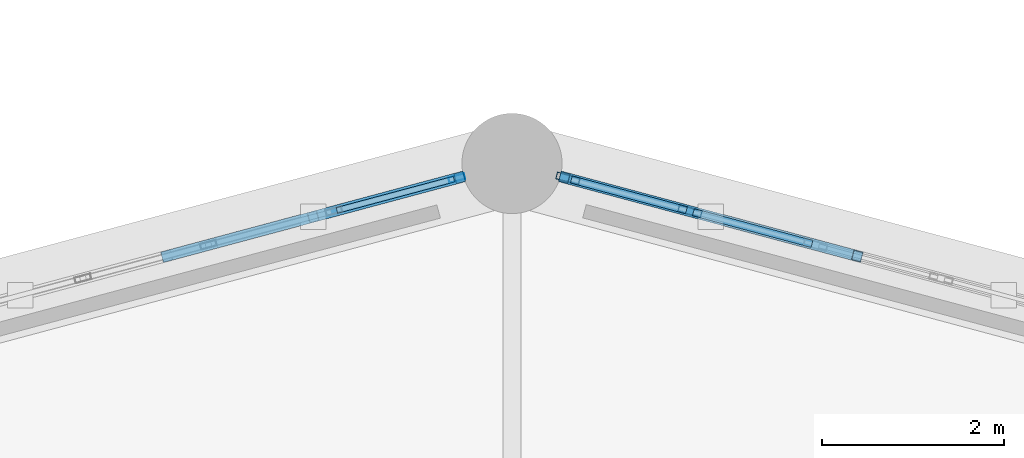
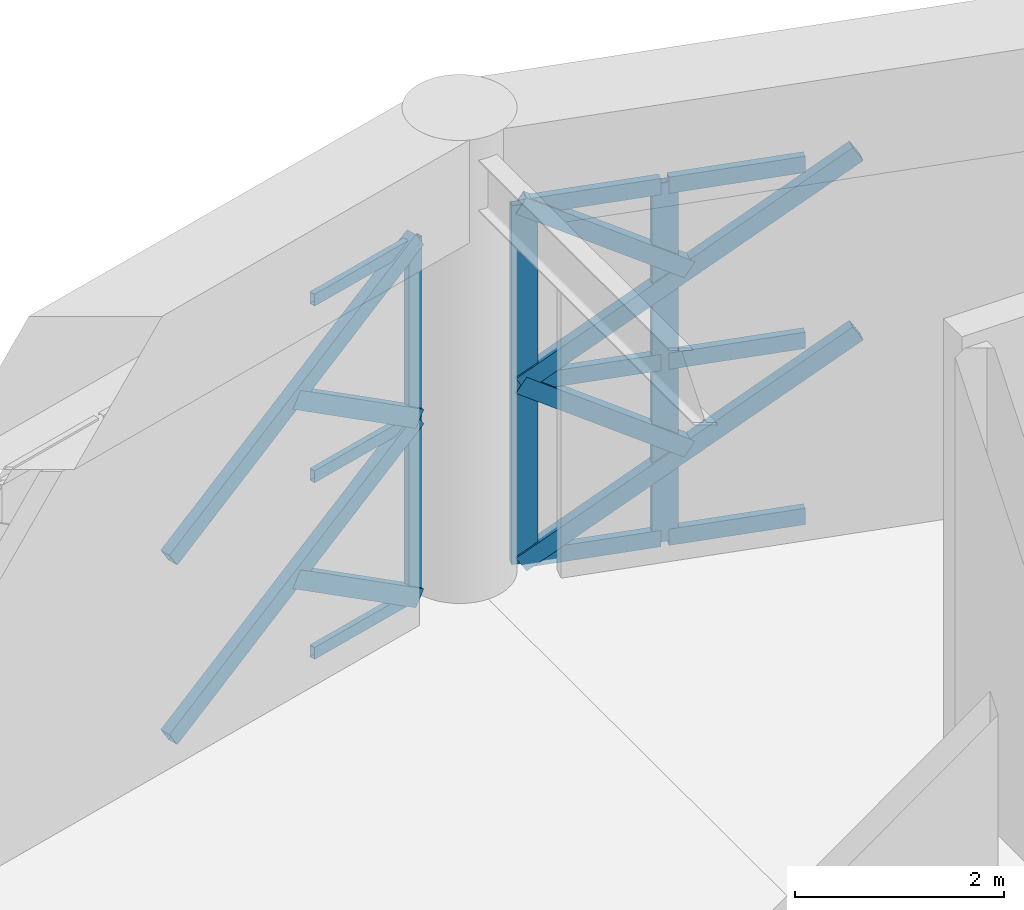
# One storey, part 41 of 72: 20 members, 2 elements without a shape of their own.
"""IFC4 building model written with IfcOpenShell, lengths in metres."""

from ifc_helpers import new_model, si_unit, direction, frame, origin, origin_2d, place, context, subcontext, project, spatial, hollow_rectangle, extrude, material, material_profile, profile_set, type_object, element, aggregate, save


model = new_model("IFC4")

# Units and contexts
model_context = context("Model", 3, precision=1e-05, world=origin(), true_north=direction((0.0, 1.0)))
body_context = subcontext(model_context, "Body", "Model", "MODEL_VIEW")
ifc_project = project(units=[si_unit("LENGTHUNIT", "METRE"), si_unit("AREAUNIT", "SQUARE_METRE"), si_unit("VOLUMEUNIT", "CUBIC_METRE"), si_unit("PLANEANGLEUNIT", "RADIAN"), si_unit("MASSUNIT", "GRAM", prefix="KILO")], contexts=[model_context])

# Site, building, storey
site_placement = place(None, origin())
site = spatial("IfcSite", under=ifc_project, at=site_placement, CompositionType="ELEMENT")
building_placement = place(site_placement, origin())
building = spatial("IfcBuilding", under=site, at=building_placement, Name="Haizhuo Lancet Aquarium", CompositionType="ELEMENT")
storey_placement = place(building_placement, frame((0.0, 0.0, 21.60009765625)))
storey = spatial("IfcBuildingStorey", under=building, at=storey_placement, Name="L04", CompositionType="ELEMENT", Elevation=21.60009765625)

# Curtain wall, member
ifc_material_1 = material(Name="Aluminium 6063-T6", Category="aluminium")
curtain_wall_type = type_object("IfcCurtainWallType", Name="CWO-9990x4180", PredefinedType="NOTDEFINED", material=ifc_material_1)
curtain_wall_1_placement = place(storey_placement, origin())
curtain_wall_1 = element("IfcCurtainWall", 1, at=curtain_wall_1_placement, inside=storey, type_object=curtain_wall_type, Name="L04 curtain wall CW-V1-L04-04", PredefinedType="NOTDEFINED")
ifc_material_profile_1 = material_profile(ifc_material_1, hollow_rectangle(XDim=0.06494140625, YDim=0.179931640625, WallThickness=0.00390625, at=origin_2d()), Name="ALU-M 65x180x4")
ifc_profile_set_1 = profile_set([ifc_material_profile_1], Name="Aluminium 6063-T6")
member_type_1 = type_object("IfcMemberType", Name="CW-MUL-1", PredefinedType="MULLION", material=ifc_profile_set_1)
member_1_placement = place(storey_placement, frame((-0.60595703125, 21.43798828125, 0.0), z_axis=(0.0, 0.0, 1.0), x_axis=(-0.258852762117, 0.965916791212, 0.0)))
member_1 = element("IfcMember", 2, at=member_1_placement, type_object=member_type_1, Name="CWO-99x41 mullion 8", PredefinedType="MULLION", context=body_context, shape_type="SweptSolid", body=[
    extrude(hollow_rectangle(XDim=0.06494140625, YDim=0.179931640625, WallThickness=0.00390625, at=origin_2d()), origin(), (0.0, 0.0, 1.0), 4.184814453125),
])

# Curtain wall, members
curtain_wall_2_placement = place(storey_placement, origin())
curtain_wall_2 = element("IfcCurtainWall", 3, at=curtain_wall_2_placement, inside=storey, type_object=curtain_wall_type, Name="L04 curtain wall CW-V1-L04-03", PredefinedType="NOTDEFINED")
ifc_material_profile_2 = material_profile(ifc_material_1, hollow_rectangle(XDim=0.080078125, YDim=0.260009765625, WallThickness=0.0048828125, at=origin_2d()), Name="ALU-M 80x260x5")
ifc_profile_set_2 = profile_set([ifc_material_profile_2], Name="Aluminium 6063-T6")
member_type_2 = type_object("IfcMemberType", Name="CW-MUL-3", PredefinedType="MULLION", material=ifc_profile_set_2)
member_2_placement = place(storey_placement, frame((0.614013671875, 21.43603515625, 0.0), z_axis=(0.0, 0.0, 1.0), x_axis=(0.258852762117, 0.965916791212, 0.0)))
member_2 = element("IfcMember", 4, at=member_2_placement, type_object=member_type_2, Name="CWO-99x41 mullion 1", PredefinedType="MULLION", context=body_context, shape_type="SweptSolid", body=[
    extrude(hollow_rectangle(XDim=0.080078125, YDim=0.260009765625, WallThickness=0.0048828125, at=origin_2d()), origin(), (0.0, 0.0, 1.0), 4.184814453125),
])
member_3_placement = place(storey_placement, frame((1.9541015625, 21.076904296875, 0.0), z_axis=(0.0, 0.0, 1.0), x_axis=(0.258852762117, 0.965916791212, 0.0)))
member_3 = element("IfcMember", 5, at=member_3_placement, type_object=member_type_2, Name="CWO-99x41 mullion 2", PredefinedType="MULLION", context=body_context, shape_type="SweptSolid", body=[
    extrude(hollow_rectangle(XDim=0.080078125, YDim=0.260009765625, WallThickness=0.0048828125, at=origin_2d()), origin(), (0.0, 0.0, 1.0), 4.184814453125),
])

# Member
ifc_material_profile_3 = material_profile(ifc_material_1, hollow_rectangle(XDim=0.06494140625, YDim=0.139892578125, WallThickness=0.00390625, at=origin_2d()), Name="ALU-T 65x140x4")
ifc_profile_set_3 = profile_set([ifc_material_profile_3], Name="Aluminium 6063-T6")
member_type_3 = type_object("IfcMemberType", Name="CW-TRN-1", PredefinedType="NOTDEFINED", material=ifc_profile_set_3)
member_4_placement = place(storey_placement, frame((-1.922119140625, 21.0849609375, 0.032958984375), z_axis=(0.965944773121, 0.258748324207, 0.0), x_axis=(-0.258748324207, 0.965944773121, 0.0)))
member_4 = element("IfcMember", 6, at=member_4_placement, type_object=member_type_3, Name="CWO-99x41 transom 7.1", ObjectType="TRANSOM", PredefinedType="USERDEFINED", context=body_context, shape_type="SweptSolid", body=[
    extrude(hollow_rectangle(XDim=0.06494140625, YDim=0.139892578125, WallThickness=0.00390625, at=origin_2d()), origin(), (0.0, 0.0, 1.0), 1.329345703125),
])

member_5_placement = place(storey_placement, frame((-1.922119140625, 21.0849609375, 2.093017578125), z_axis=(0.965944773121, 0.258748324207, 0.0), x_axis=(-0.258748324207, 0.965944773121, 0.0)))
member_5 = element("IfcMember", 7, at=member_5_placement, type_object=member_type_3, Name="CWO-99x41 transom 7.2", ObjectType="TRANSOM", PredefinedType="USERDEFINED", context=body_context, shape_type="SweptSolid", body=[
    extrude(hollow_rectangle(XDim=0.06494140625, YDim=0.139892578125, WallThickness=0.00390625, at=origin_2d()), origin(), (0.0, 0.0, 1.0), 1.329345703125),
])

member_6_placement = place(storey_placement, frame((-1.922119140625, 21.0849609375, 4.15283203125), z_axis=(0.965944773121, 0.258748324207, 0.0), x_axis=(-0.258748324207, 0.965944773121, 0.0)))
member_6 = element("IfcMember", 8, at=member_6_placement, type_object=member_type_3, Name="CWO-99x41 transom 7.3", ObjectType="TRANSOM", PredefinedType="USERDEFINED", context=body_context, shape_type="SweptSolid", body=[
    extrude(hollow_rectangle(XDim=0.06494140625, YDim=0.139892578125, WallThickness=0.00390625, at=origin_2d()), origin(), (0.0, 0.0, 1.0), 1.329345703125),
])

aggregate(curtain_wall_1, [member_1, member_4, member_5, member_6])

ifc_material_profile_4 = material_profile(ifc_material_1, hollow_rectangle(XDim=0.080078125, YDim=0.18994140625, WallThickness=0.0048828125, at=origin_2d()), Name="ALU-T 80x190x5")
ifc_profile_set_4 = profile_set([ifc_material_profile_4], Name="Aluminium 6063-T6")
member_type_4 = type_object("IfcMemberType", Name="CW-TRN-3", PredefinedType="NOTDEFINED", material=ifc_profile_set_4)
member_7_placement = place(storey_placement, frame((0.652099609375, 21.425048828125, 0.039794921875), z_axis=(0.965977213939, -0.258627187571, 0.0), x_axis=(0.258627187571, 0.965977213939, 0.0)))
member_7 = element("IfcMember", 9, at=member_7_placement, type_object=member_type_4, Name="CWO-99x41 transom 1.1", ObjectType="TRANSOM", PredefinedType="USERDEFINED", context=body_context, shape_type="SweptSolid", body=[
    extrude(hollow_rectangle(XDim=0.080078125, YDim=0.18994140625, WallThickness=0.0048828125, at=origin_2d()), origin(), (0.0, 0.0, 1.0), 1.307373046875),
])

member_8_placement = place(storey_placement, frame((0.652099609375, 21.425048828125, 2.093017578125), z_axis=(0.965977213939, -0.258627187571, 0.0), x_axis=(0.258627187571, 0.965977213939, 0.0)))
member_8 = element("IfcMember", 10, at=member_8_placement, type_object=member_type_4, Name="CWO-99x41 transom 1.2", ObjectType="TRANSOM", PredefinedType="USERDEFINED", context=body_context, shape_type="SweptSolid", body=[
    extrude(hollow_rectangle(XDim=0.080078125, YDim=0.18994140625, WallThickness=0.0048828125, at=origin_2d()), origin(), (0.0, 0.0, 1.0), 1.307373046875),
])

member_9_placement = place(storey_placement, frame((0.652099609375, 21.425048828125, 4.14501953125), z_axis=(0.965977213939, -0.258627187571, 0.0), x_axis=(0.258627187571, 0.965977213939, 0.0)))
member_9 = element("IfcMember", 11, at=member_9_placement, type_object=member_type_4, Name="CWO-99x41 transom 1.3", ObjectType="TRANSOM", PredefinedType="USERDEFINED", context=body_context, shape_type="SweptSolid", body=[
    extrude(hollow_rectangle(XDim=0.080078125, YDim=0.18994140625, WallThickness=0.0048828125, at=origin_2d()), origin(), (0.0, 0.0, 1.0), 1.307373046875),
])

member_10_placement = place(storey_placement, frame((1.991943359375, 21.06591796875, 0.039794921875), z_axis=(0.965924605661, -0.258823600504, 0.0), x_axis=(0.258823600504, 0.965924605661, 0.0)))
member_10 = element("IfcMember", 12, at=member_10_placement, type_object=member_type_4, Name="CWO-99x41 transom 2.1", ObjectType="TRANSOM", PredefinedType="USERDEFINED", context=body_context, shape_type="SweptSolid", body=[
    extrude(hollow_rectangle(XDim=0.080078125, YDim=0.18994140625, WallThickness=0.0048828125, at=origin_2d()), origin(), (0.0, 0.0, 1.0), 1.347900390625),
])

member_11_placement = place(storey_placement, frame((1.991943359375, 21.06591796875, 2.093017578125), z_axis=(0.965924605661, -0.258823600504, 0.0), x_axis=(0.258823600504, 0.965924605661, 0.0)))
member_11 = element("IfcMember", 13, at=member_11_placement, type_object=member_type_4, Name="CWO-99x41 transom 2.2", ObjectType="TRANSOM", PredefinedType="USERDEFINED", context=body_context, shape_type="SweptSolid", body=[
    extrude(hollow_rectangle(XDim=0.080078125, YDim=0.18994140625, WallThickness=0.0048828125, at=origin_2d()), origin(), (0.0, 0.0, 1.0), 1.347900390625),
])

member_12_placement = place(storey_placement, frame((1.991943359375, 21.06591796875, 4.14501953125), z_axis=(0.965924605661, -0.258823600504, 0.0), x_axis=(0.258823600504, 0.965924605661, 0.0)))
member_12 = element("IfcMember", 14, at=member_12_placement, type_object=member_type_4, Name="CWO-99x41 transom 2.3", ObjectType="TRANSOM", PredefinedType="USERDEFINED", context=body_context, shape_type="SweptSolid", body=[
    extrude(hollow_rectangle(XDim=0.080078125, YDim=0.18994140625, WallThickness=0.0048828125, at=origin_2d()), origin(), (0.0, 0.0, 1.0), 1.347900390625),
])

aggregate(curtain_wall_2, [member_2, member_3, member_7, member_8, member_9, member_10, member_11, member_12])

# Members
ifc_material_2 = material(Name="Steel S355", Category="steel")
ifc_material_profile_5 = material_profile(ifc_material_2, hollow_rectangle(XDim=0.1201171875, YDim=0.199951171875, WallThickness=0.008056640625, at=origin_2d()), Name="RHS 120x200x8")
ifc_profile_set_5 = profile_set([ifc_material_profile_5], Name="Steel S355")
member_type_5 = type_object("IfcMemberType", Name="MEM-LB-RHS120x200", PredefinedType="BRACE", material=ifc_profile_set_5)
member_13_placement = place(storey_placement, frame((0.574951171875, 21.446044921875, 0.0), z_axis=(0.8178359432, -0.219152972258, 0.532086783111), x_axis=(0.258835014285, 0.965921547218, 0.0)))
element("IfcMember", 15, at=member_13_placement, inside=storey, type_object=member_type_5, Name="Gothic lancet continuous diagonal brace CW-V1-L04-03 1A", PredefinedType="BRACE", context=body_context, shape_type="SweptSolid", body=[
    extrude(hollow_rectangle(XDim=0.1201171875, YDim=0.199951171875, WallThickness=0.008056640625, at=origin_2d()), origin(), (0.0, 0.0, 1.0), 3.93359375),
])
member_14_placement = place(storey_placement, frame((2.18310546875, 21.014892578125, 1.046875), z_axis=(-0.817844181547, 0.219267166329, 0.53202707119), x_axis=(-0.258958409476, -0.965888472942, 0.0)))
element("IfcMember", 16, at=member_14_placement, inside=storey, type_object=member_type_5, Name="Gothic lancet split diagonal brace CW-V1-L04-03 1B2", PredefinedType="BRACE", context=body_context, shape_type="SweptSolid", body=[
    extrude(hollow_rectangle(XDim=0.1201171875, YDim=0.199951171875, WallThickness=0.008056640625, at=origin_2d()), origin(), (0.0, 0.0, 1.0), 1.96630859375),
])
member_15_placement = place(storey_placement, frame((0.574951171875, 21.446044921875, 2.093017578125), z_axis=(0.817970979087, -0.219189157407, 0.531864259605), x_axis=(0.258835014285, 0.965921547218, 0.0)))
element("IfcMember", 17, at=member_15_placement, inside=storey, type_object=member_type_5, Name="Gothic lancet continuous diagonal brace CW-V1-L04-03 2A", PredefinedType="BRACE", context=body_context, shape_type="SweptSolid", body=[
    extrude(hollow_rectangle(XDim=0.1201171875, YDim=0.199951171875, WallThickness=0.008056640625, at=origin_2d()), origin(), (0.0, 0.0, 1.0), 3.932861328125),
])
member_16_placement = place(storey_placement, frame((2.18310546875, 21.014892578125, 3.138916015625), z_axis=(-0.817898204654, 0.219281650132, 0.53193804596), x_axis=(-0.258958409476, -0.965888472942, 0.0)))
element("IfcMember", 18, at=member_16_placement, inside=storey, type_object=member_type_5, Name="Gothic lancet split diagonal brace CW-V1-L04-03 2B2", PredefinedType="BRACE", context=body_context, shape_type="SweptSolid", body=[
    extrude(hollow_rectangle(XDim=0.1201171875, YDim=0.199951171875, WallThickness=0.008056640625, at=origin_2d()), origin(), (0.0, 0.0, 1.0), 1.96630859375),
])
member_17_placement = place(storey_placement, frame((-3.7919921875, 20.583984375, 0.0), z_axis=(0.8178359432, 0.219152972258, 0.532086783111), x_axis=(-0.258835014285, 0.965921547218, 0.0)))
element("IfcMember", 19, at=member_17_placement, inside=storey, type_object=member_type_5, Name="Gothic lancet continuous diagonal brace CW-V1-L04-04 5A", PredefinedType="BRACE", context=body_context, shape_type="SweptSolid", body=[
    extrude(hollow_rectangle(XDim=0.1201171875, YDim=0.199951171875, WallThickness=0.008056640625, at=origin_2d()), origin(), (0.0, 0.0, 1.0), 3.93359375),
])
member_18_placement = place(storey_placement, frame((-0.574951171875, 21.446044921875, 0.0), z_axis=(-0.817682100833, -0.219223711867, 0.532294041046), x_axis=(0.258958409476, -0.965888472942, 0.0)))
element("IfcMember", 20, at=member_18_placement, inside=storey, type_object=member_type_5, Name="Gothic lancet split diagonal brace CW-V1-L04-04 5B1", PredefinedType="BRACE", context=body_context, shape_type="SweptSolid", body=[
    extrude(hollow_rectangle(XDim=0.1201171875, YDim=0.199951171875, WallThickness=0.008056640625, at=origin_2d()), origin(), (0.0, 0.0, 1.0), 1.966796875),
])
member_19_placement = place(storey_placement, frame((-3.7919921875, 20.583984375, 2.093017578125), z_axis=(0.817970979087, 0.219189157407, 0.531864259605), x_axis=(-0.258835014285, 0.965921547218, 0.0)))
element("IfcMember", 21, at=member_19_placement, inside=storey, type_object=member_type_5, Name="Gothic lancet continuous diagonal brace CW-V1-L04-04 6A", PredefinedType="BRACE", context=body_context, shape_type="SweptSolid", body=[
    extrude(hollow_rectangle(XDim=0.1201171875, YDim=0.199951171875, WallThickness=0.008056640625, at=origin_2d()), origin(), (0.0, 0.0, 1.0), 3.932861328125),
])
member_20_placement = place(storey_placement, frame((-0.574951171875, 21.446044921875, 2.093017578125), z_axis=(-0.817898204654, -0.219281650132, 0.53193804596), x_axis=(0.258958409476, -0.965888472942, 0.0)))
element("IfcMember", 22, at=member_20_placement, inside=storey, type_object=member_type_5, Name="Gothic lancet split diagonal brace CW-V1-L04-04 6B1", PredefinedType="BRACE", context=body_context, shape_type="SweptSolid", body=[
    extrude(hollow_rectangle(XDim=0.1201171875, YDim=0.199951171875, WallThickness=0.008056640625, at=origin_2d()), origin(), (0.0, 0.0, 1.0), 1.96630859375),
])

save(model, "model.ifc")
